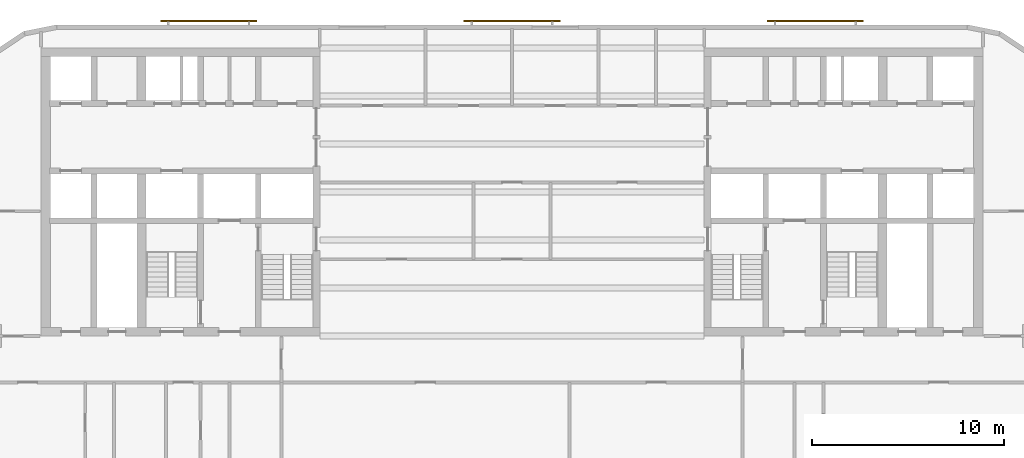
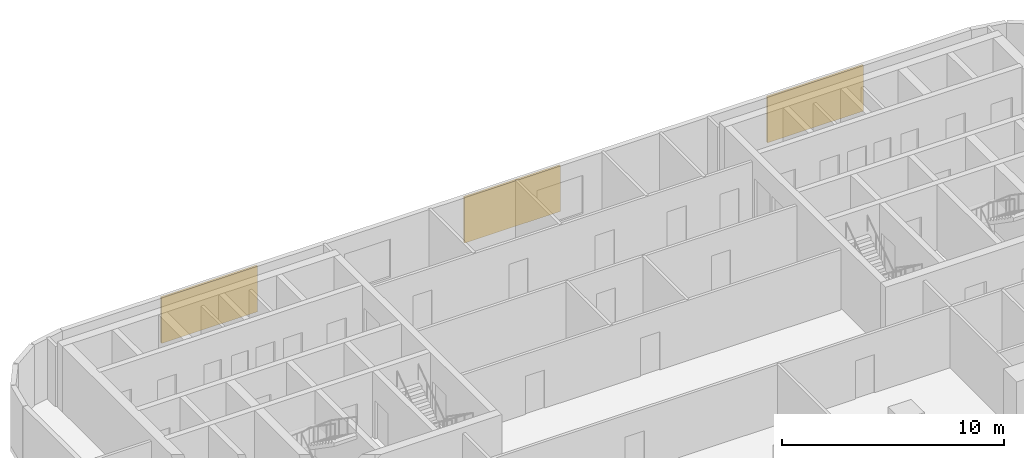
# One storey, part 10 of 11: 3 shading devices.
"""IFC4 building model written with IfcOpenShell, lengths in metres."""

from ifc_helpers import new_model, si_unit, direction, frame, origin, origin_2d, place, context, subcontext, project, spatial, rectangle, extrude, material, layer, layer_set, type_object, element, save


model = new_model("IFC4")

# Units and contexts
model_context = context("Model", 3, precision=1e-05, world=origin(), true_north=direction((0.0, 1.0)))
body_context = subcontext(model_context, "Body", "Model", "MODEL_VIEW")
ifc_project = project(units=[si_unit("LENGTHUNIT", "METRE"), si_unit("AREAUNIT", "SQUARE_METRE"), si_unit("VOLUMEUNIT", "CUBIC_METRE"), si_unit("PLANEANGLEUNIT", "RADIAN"), si_unit("MASSUNIT", "GRAM", prefix="KILO")], contexts=[model_context])

# Site, building, storey
site_placement = place(None, origin())
site = spatial("IfcSite", under=ifc_project, at=site_placement, CompositionType="ELEMENT")
building_placement = place(site_placement, origin())
building = spatial("IfcBuilding", under=site, at=building_placement, Name="Torana Hotel and Residences", CompositionType="ELEMENT")
storey_placement = place(building_placement, frame((0.0, 0.0, 170.39990234375)))
storey = spatial("IfcBuildingStorey", under=building, at=storey_placement, Name="L44", CompositionType="ELEMENT", Elevation=170.39990234375)

# Shading devices
ifc_material = material(Name="Concrete C40/50 precast", Category="concrete")
ifc_layer = layer(ifc_material, 0.10009765625)
ifc_layer_set = layer_set([ifc_layer], Name="SC1 PERFORATED BLOCK SCREEN PANEL 100")
shading_device_type = type_object("IfcShadingDeviceType", Name="SC1 PERFORATED BLOCK SCREEN PANEL 100", PredefinedType="USERDEFINED", material=ifc_layer_set)
for number, where, z_axis, x_axis, name in (
    (1, (15.78369140625, 1.39990234375, 0.5), (0.0, 0.0, 1.0), (-1.0, 0.0, 0.0), "Perforated block screen L44"),
    (2, (0.0, 1.39990234375, 0.5), (0.0, 0.0, 1.0), (-1.0, 0.0, 0.0), "Perforated block screen L44"),
    (3, (-15.78369140625, 1.39990234375, 0.5), (0.0, 0.0, 1.0), (-1.0, 0.0, 0.0), "Perforated block screen L44"),
):
    element("IfcShadingDevice", number, at=place(storey_placement, frame(where, z_axis=z_axis, x_axis=x_axis)), inside=storey, type_object=shading_device_type, Name=name, ObjectType="SCREEN", PredefinedType="USERDEFINED", context=body_context, shape_type="SweptSolid", body=[
        extrude(rectangle(XDim=5.0, YDim=0.10009765625, at=origin_2d()), origin(), (0.0, 0.0, 1.0), 2.52001953125),
    ])

save(model, "model.ifc")
